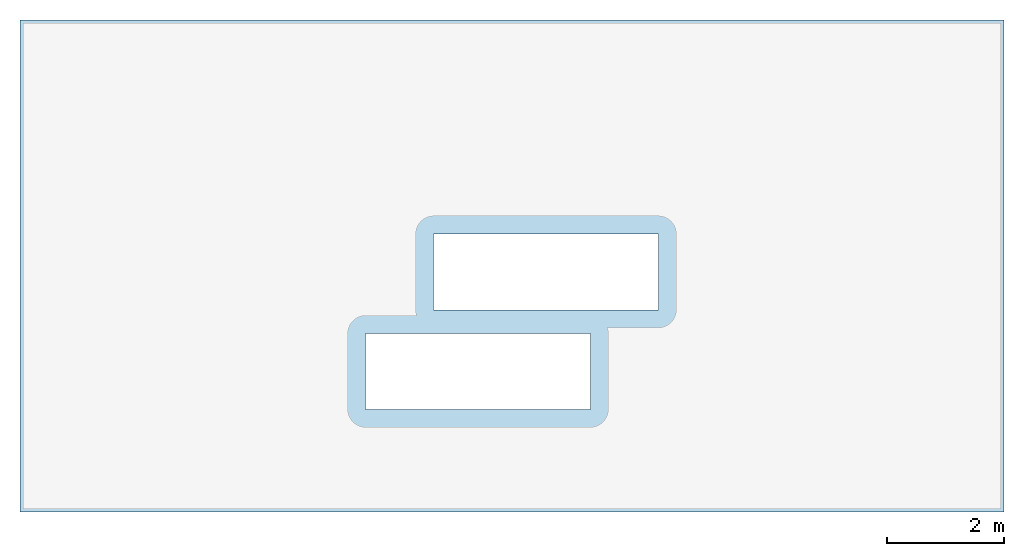
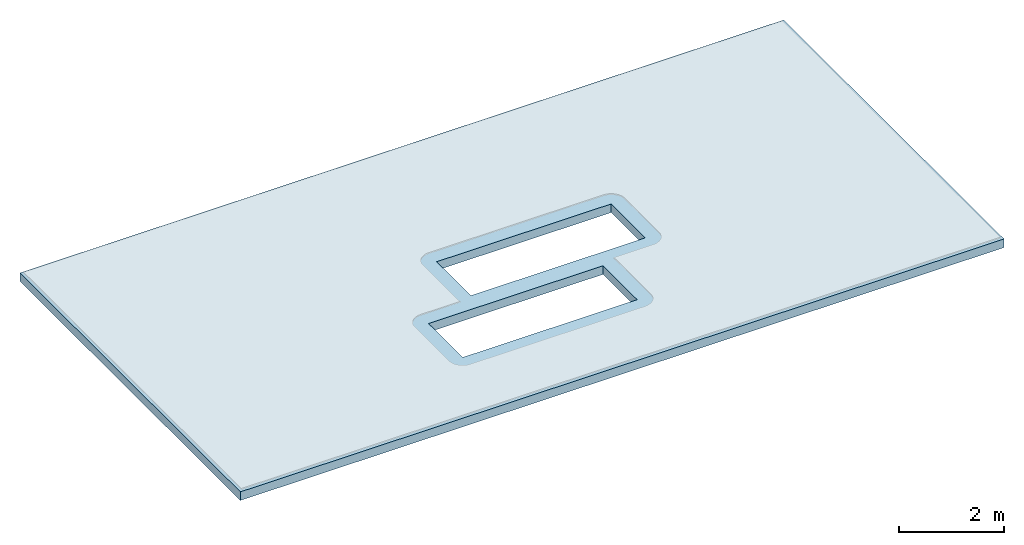
# One storey, part 1 of 2: 1 slab.
"""IFC4 building model written with IfcOpenShell, lengths in metres."""

import ifcopenshell
import ifcopenshell.guid

model = None  # the IFC model being written
_history = None  # IfcOwnerHistory: only IFC2X3 demands one
_inside = {}  # id of a spatial element -> (the spatial element, [elements in it])
_under = {}  # id of a project, library or spatial element -> (it, [spatial elements below it])
_declared = {}  # id of a project -> (the project, [libraries it declares])
_typed = {}  # id of a type object -> (the type object, [elements of that type])
_made_of = {}  # id of a material, layer set ... -> (it, [elements and type objects made of it])


def new_model(schema):
    """Start an empty IFC model of exactly this schema.

    Asked for "IFC4X3", IfcOpenShell would pick the latest addendum, in which some entities
    have other attributes; the version numbers below select the first issue.
    IFC2X3 requires an IfcOwnerHistory on every rooted entity: one is made here for all.
    """
    global model, _history
    if schema == "IFC4X3":
        model = ifcopenshell.file(schema_version=(4, 3, 0, 0))
    else:
        model = ifcopenshell.file(schema=schema)
    _inside.clear()
    _under.clear()
    _declared.clear()
    _typed.clear()
    _made_of.clear()
    _history = None
    if model.schema == "IFC2X3":
        org = make("IfcOrganization", Name="unknown")
        user = make(
            "IfcPersonAndOrganization",
            ThePerson=make("IfcPerson", FamilyName="unknown"),
            TheOrganization=org,
        )
        app = make(
            "IfcApplication",
            ApplicationDeveloper=org,
            Version="unknown",
            ApplicationFullName="unknown",
            ApplicationIdentifier="unknown",
        )
        _history = make(
            "IfcOwnerHistory",
            OwningUser=user,
            OwningApplication=app,
            ChangeAction="ADDED",
            CreationDate=0,
        )
    return model


def make(cls, **values):
    """One entity of the class cls with the attributes given. An attribute that is None is left unset."""
    return model.create_entity(
        cls, **{name: value for name, value in values.items() if value is not None}
    )


def rooted(cls, **values):
    """An entity with a GlobalId (a new one), such as an element, a storey or a relation."""
    return make(cls, GlobalId=ifcopenshell.guid.new(), OwnerHistory=_history, **values)


def si_unit(unit_type, name, prefix=None):
    """IfcSIUnit, for example si_unit("LENGTHUNIT", "METRE", prefix="MILLI")."""
    return make("IfcSIUnit", UnitType=unit_type, Prefix=prefix, Name=name)


def assignment(units):
    """IfcUnitAssignment: the units of a project."""
    return None if units is None else make("IfcUnitAssignment", Units=units)


def point(xyz):
    """IfcCartesianPoint."""
    return None if xyz is None else make("IfcCartesianPoint", Coordinates=xyz)


def direction(xyz):
    """IfcDirection."""
    return None if xyz is None else make("IfcDirection", DirectionRatios=xyz)


def frame(location, z_axis=None, x_axis=None):
    """IfcAxis2Placement3D, a coordinate frame: its origin and axes. An axis left out is left unset."""
    return make(
        "IfcAxis2Placement3D",
        Location=point(location),
        Axis=direction(z_axis),
        RefDirection=direction(x_axis),
    )


def origin():
    """The frame at (0, 0, 0) with its axes left unset."""
    return frame((0.0, 0.0, 0.0))


def place(relative_to, where):
    """IfcLocalPlacement: puts the frame where relative to a parent placement (None: the world)."""
    return make(
        "IfcLocalPlacement", PlacementRelTo=relative_to, RelativePlacement=where
    )


def context(
    kind, dimensions, precision=None, world=None, true_north=None, identifier=None
):
    """IfcGeometricRepresentationContext, for example the 3D "Model" context."""
    return make(
        "IfcGeometricRepresentationContext",
        ContextIdentifier=identifier,
        ContextType=kind,
        CoordinateSpaceDimension=dimensions,
        Precision=precision,
        WorldCoordinateSystem=world,
        TrueNorth=true_north,
    )


def subcontext(parent, identifier, kind, view, scale=None):
    """IfcGeometricRepresentationSubContext, for example "Body" below "Model"."""
    return make(
        "IfcGeometricRepresentationSubContext",
        ContextIdentifier=identifier,
        ContextType=kind,
        ParentContext=parent,
        TargetScale=scale,
        TargetView=view,
    )


def project(units=None, contexts=None):
    """IfcProject with its units and contexts."""
    return rooted(
        "IfcProject",
        Name="project",
        RepresentationContexts=contexts,
        UnitsInContext=assignment(units),
    )


def spatial(cls, under=None, at=None, **own):
    """A site, building, storey or space (cls), placed at a placement, below another one or the project."""
    s = rooted(cls, ObjectPlacement=at, **own)
    if under is not None:
        _under.setdefault(under.id(), (under, []))[1].append(s)
    return s


def polyline(points):
    """IfcPolyline through the points."""
    return make("IfcPolyline", Points=[point(p) for p in points])


def outline(outer, holes=None, kind="AREA"):
    """IfcArbitraryClosedProfileDef: a profile drawn as a closed curve; with holes, ...WithVoids."""
    if holes is None:
        return make("IfcArbitraryClosedProfileDef", ProfileType=kind, OuterCurve=outer)
    return make(
        "IfcArbitraryProfileDefWithVoids",
        ProfileType=kind,
        OuterCurve=outer,
        InnerCurves=holes,
    )


def extrude(swept, where, along, depth):
    """IfcExtrudedAreaSolid: the profile swept, set in the frame where, extruded along a direction by depth."""
    return make(
        "IfcExtrudedAreaSolid",
        SweptArea=swept,
        Position=where,
        ExtrudedDirection=direction(along),
        Depth=depth,
    )


def shape(context_of_items, identifier, shape_type, items):
    """IfcShapeRepresentation: the items that make up one representation, for example the "Body"."""
    return make(
        "IfcShapeRepresentation",
        ContextOfItems=context_of_items,
        RepresentationIdentifier=identifier,
        RepresentationType=shape_type,
        Items=items,
    )


def material(Name=None, Category=None):
    """IfcMaterial."""
    return make("IfcMaterial", Name=Name, Category=Category)


def layer(
    of_material, thickness, ventilated=None, Name=None, Category=None, Priority=None
):
    """IfcMaterialLayer: one layer of a wall or slab, of a material (None: an air gap)."""
    return make(
        "IfcMaterialLayer",
        Material=of_material,
        LayerThickness=thickness,
        IsVentilated=ventilated,
        Name=Name,
        Category=Category,
        Priority=Priority,
    )


def layer_set(layers, Name=None):
    """IfcMaterialLayerSet."""
    return make("IfcMaterialLayerSet", MaterialLayers=layers, LayerSetName=Name)


def made_of(thing, what):
    """Note that an element or type object is made of a material, layer set ...; save() writes the relation."""
    if what is not None:
        _made_of.setdefault(what.id(), (what, []))[1].append(thing)
    return thing


def type_object(cls, material=None, **own):
    """A type object (cls), such as IfcWallType, which elements share."""
    return made_of(rooted(cls, **own), material)


def element(
    cls,
    number,
    at=None,
    inside=None,
    cuts=None,
    type_object=None,
    material=None,
    context=None,
    identifier="Body",
    shape_type=None,
    held_by="IfcProductDefinitionShape",
    body=None,
    shapes=None,
    **own,
):
    """One element of the class cls, such as IfcWall. Its Tag is "e" and its number.

    at: its placement. inside: the storey or other place that contains it. cuts: it is an
    opening in that element (IfcRelVoidsElement). A single representation is given by context,
    identifier, shape_type and body (its items); several are given by shapes. held_by: the class
    of the entity that holds the representations. save() writes the other relations.
    """
    e = rooted(cls, Tag="e%d" % number, ObjectPlacement=at, **own)
    if body is not None:
        shapes = [shape(context, identifier, shape_type, body)]
    if shapes is not None:
        e.Representation = make(held_by, Representations=shapes)
    if inside is not None:
        _inside.setdefault(inside.id(), (inside, []))[1].append(e)
    if cuts is not None:
        rooted(
            "IfcRelVoidsElement", RelatingBuildingElement=cuts, RelatedOpeningElement=e
        )
    if type_object is not None:
        _typed.setdefault(type_object.id(), (type_object, []))[1].append(e)
    return made_of(e, material)


def aggregate(whole, parts):
    """IfcRelAggregates: a whole, such as a stair, and the parts it consists of."""
    return rooted("IfcRelAggregates", RelatingObject=whole, RelatedObjects=parts)


def save(model, path):
    """Write the relations noted so far, then the file.

    IfcRelAggregates (storeys below a building ...), IfcRelContainedInSpatialStructure (elements
    in a storey), IfcRelDefinesByType, IfcRelAssociatesMaterial and IfcRelDeclares: one each for
    every whole, place, type object, material and project.
    """
    for whole, parts in _under.values():
        aggregate(whole, parts)
    for where, things in _inside.values():
        rooted(
            "IfcRelContainedInSpatialStructure",
            RelatedElements=things,
            RelatingStructure=where,
        )
    for kind, things in _typed.values():
        rooted("IfcRelDefinesByType", RelatedObjects=things, RelatingType=kind)
    for what, things in _made_of.values():
        rooted("IfcRelAssociatesMaterial", RelatedObjects=things, RelatingMaterial=what)
    for by, libraries in _declared.values():
        rooted("IfcRelDeclares", RelatingContext=by, RelatedDefinitions=libraries)
    model.write(path)


model = new_model("IFC4")

# Units and contexts
model_context = context("Model", 3, precision=1e-05, world=origin(), true_north=direction((0.0, 1.0)))
body_context = subcontext(model_context, "Body", "Model", "MODEL_VIEW")
ifc_project = project(units=[si_unit("LENGTHUNIT", "METRE"), si_unit("AREAUNIT", "SQUARE_METRE"), si_unit("VOLUMEUNIT", "CUBIC_METRE"), si_unit("PLANEANGLEUNIT", "RADIAN"), si_unit("MASSUNIT", "GRAM", prefix="KILO")], contexts=[model_context])

# Site, building, storey
site_placement = place(None, origin())
site = spatial("IfcSite", under=ifc_project, at=site_placement, CompositionType="ELEMENT")
building_placement = place(site_placement, origin())
building = spatial("IfcBuilding", under=site, at=building_placement, Name="Galleria Vessillo Department Store", CompositionType="ELEMENT")
storey_placement = place(building_placement, frame((0.0, 0.0, 75.199951171875)))
storey = spatial("IfcBuildingStorey", under=building, at=storey_placement, Name="UPPER ROOF", CompositionType="ELEMENT", Elevation=75.199951171875)

# Slab
ifc_material = material(Name="Concrete C32/40 reinforced", Category="concrete")
ifc_layer = layer(ifc_material, 0.199951171875)
ifc_layer_set = layer_set([ifc_layer], Name="Concrete C32/40 reinforced")
slab_type = type_object("IfcSlabType", Name="Head-house roof slab 200 mm", PredefinedType="ROOF", material=ifc_layer_set)
slab_placement = place(storey_placement, frame((0.0, 0.0, -0.199951171875)))
element("IfcSlab", 1, at=slab_placement, inside=storey, type_object=slab_type, Name="S-SLAB-L15-HEADHOUSE-ROOF", PredefinedType="ROOF", context=body_context, shape_type="SweptSolid", body=[
    extrude(outline(polyline([(117.60009765625, 54.60009765625), (117.60009765625, 63.0), (100.800048828125, 63.0), (100.800048828125, 54.60009765625), (117.60009765625, 54.60009765625)]), holes=[polyline([(110.5390625, 56.35009765625), (110.5390625, 57.64990234375), (106.699462890625, 57.64990234375), (106.699462890625, 56.35009765625), (110.5390625, 56.35009765625)]), polyline([(111.700439453125, 58.050048828125), (111.700439453125, 59.35009765625), (107.86083984375, 59.35009765625), (107.86083984375, 58.050048828125), (111.700439453125, 58.050048828125)])]), origin(), (0.0, 0.0, 1.0), 0.199951171875),
])

save(model, "model.ifc")
